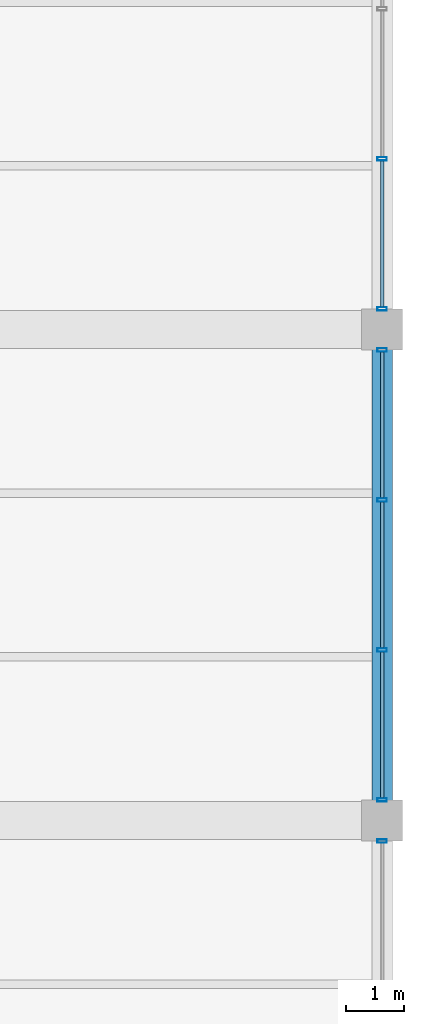
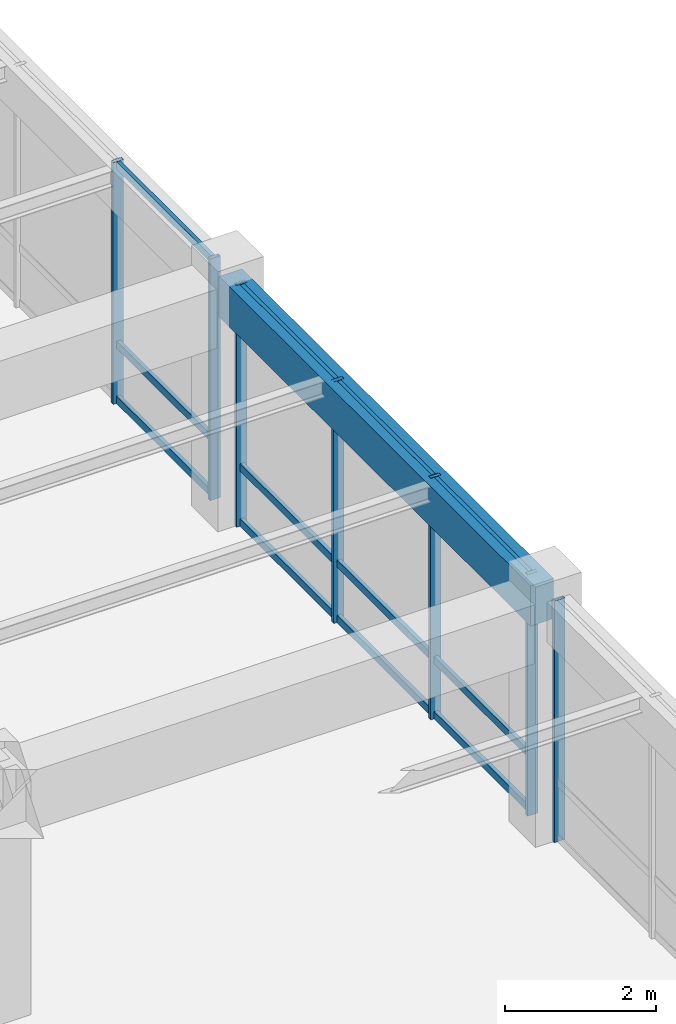
# One storey, part 88 of 152: 19 members, 1 beam, 3 elements without a shape of their own.
"""IFC4 building model written with IfcOpenShell, lengths in metres."""

import ifcopenshell
import ifcopenshell.guid

model = None  # the IFC model being written
_history = None  # IfcOwnerHistory: only IFC2X3 demands one
_inside = {}  # id of a spatial element -> (the spatial element, [elements in it])
_under = {}  # id of a project, library or spatial element -> (it, [spatial elements below it])
_declared = {}  # id of a project -> (the project, [libraries it declares])
_typed = {}  # id of a type object -> (the type object, [elements of that type])
_made_of = {}  # id of a material, layer set ... -> (it, [elements and type objects made of it])


def new_model(schema):
    """Start an empty IFC model of exactly this schema.

    Asked for "IFC4X3", IfcOpenShell would pick the latest addendum, in which some entities
    have other attributes; the version numbers below select the first issue.
    IFC2X3 requires an IfcOwnerHistory on every rooted entity: one is made here for all.
    """
    global model, _history
    if schema == "IFC4X3":
        model = ifcopenshell.file(schema_version=(4, 3, 0, 0))
    else:
        model = ifcopenshell.file(schema=schema)
    _inside.clear()
    _under.clear()
    _declared.clear()
    _typed.clear()
    _made_of.clear()
    _history = None
    if model.schema == "IFC2X3":
        org = make("IfcOrganization", Name="unknown")
        user = make(
            "IfcPersonAndOrganization",
            ThePerson=make("IfcPerson", FamilyName="unknown"),
            TheOrganization=org,
        )
        app = make(
            "IfcApplication",
            ApplicationDeveloper=org,
            Version="unknown",
            ApplicationFullName="unknown",
            ApplicationIdentifier="unknown",
        )
        _history = make(
            "IfcOwnerHistory",
            OwningUser=user,
            OwningApplication=app,
            ChangeAction="ADDED",
            CreationDate=0,
        )
    return model


def make(cls, **values):
    """One entity of the class cls with the attributes given. An attribute that is None is left unset."""
    return model.create_entity(
        cls, **{name: value for name, value in values.items() if value is not None}
    )


def rooted(cls, **values):
    """An entity with a GlobalId (a new one), such as an element, a storey or a relation."""
    return make(cls, GlobalId=ifcopenshell.guid.new(), OwnerHistory=_history, **values)


def si_unit(unit_type, name, prefix=None):
    """IfcSIUnit, for example si_unit("LENGTHUNIT", "METRE", prefix="MILLI")."""
    return make("IfcSIUnit", UnitType=unit_type, Prefix=prefix, Name=name)


def assignment(units):
    """IfcUnitAssignment: the units of a project."""
    return None if units is None else make("IfcUnitAssignment", Units=units)


def point(xyz):
    """IfcCartesianPoint."""
    return None if xyz is None else make("IfcCartesianPoint", Coordinates=xyz)


def direction(xyz):
    """IfcDirection."""
    return None if xyz is None else make("IfcDirection", DirectionRatios=xyz)


def frame(location, z_axis=None, x_axis=None):
    """IfcAxis2Placement3D, a coordinate frame: its origin and axes. An axis left out is left unset."""
    return make(
        "IfcAxis2Placement3D",
        Location=point(location),
        Axis=direction(z_axis),
        RefDirection=direction(x_axis),
    )


def frame_2d(location, x_axis=None):
    """IfcAxis2Placement2D, a coordinate frame in the plane: its origin and x axis."""
    return make(
        "IfcAxis2Placement2D", Location=point(location), RefDirection=direction(x_axis)
    )


def origin():
    """The frame at (0, 0, 0) with its axes left unset."""
    return frame((0.0, 0.0, 0.0))


def origin_2d():
    """The frame at (0, 0) in the plane with its x axis left unset."""
    return frame_2d((0.0, 0.0))


def place(relative_to, where):
    """IfcLocalPlacement: puts the frame where relative to a parent placement (None: the world)."""
    return make(
        "IfcLocalPlacement", PlacementRelTo=relative_to, RelativePlacement=where
    )


def context(
    kind, dimensions, precision=None, world=None, true_north=None, identifier=None
):
    """IfcGeometricRepresentationContext, for example the 3D "Model" context."""
    return make(
        "IfcGeometricRepresentationContext",
        ContextIdentifier=identifier,
        ContextType=kind,
        CoordinateSpaceDimension=dimensions,
        Precision=precision,
        WorldCoordinateSystem=world,
        TrueNorth=true_north,
    )


def subcontext(parent, identifier, kind, view, scale=None):
    """IfcGeometricRepresentationSubContext, for example "Body" below "Model"."""
    return make(
        "IfcGeometricRepresentationSubContext",
        ContextIdentifier=identifier,
        ContextType=kind,
        ParentContext=parent,
        TargetScale=scale,
        TargetView=view,
    )


def project(units=None, contexts=None):
    """IfcProject with its units and contexts."""
    return rooted(
        "IfcProject",
        Name="project",
        RepresentationContexts=contexts,
        UnitsInContext=assignment(units),
    )


def spatial(cls, under=None, at=None, **own):
    """A site, building, storey or space (cls), placed at a placement, below another one or the project."""
    s = rooted(cls, ObjectPlacement=at, **own)
    if under is not None:
        _under.setdefault(under.id(), (under, []))[1].append(s)
    return s


def profile(cls, at=None, kind="AREA", **sizes):
    """A parametric profile (cls). Its sizes go by their IFC names, for example OverallWidth=200.0."""
    return make(cls, ProfileType=kind, Position=at, **sizes)


def rectangle(**sizes):
    """IfcRectangleProfileDef."""
    return profile("IfcRectangleProfileDef", **sizes)


def hollow_rectangle(**sizes):
    """IfcRectangleHollowProfileDef."""
    return profile("IfcRectangleHollowProfileDef", **sizes)


def extrude(swept, where, along, depth):
    """IfcExtrudedAreaSolid: the profile swept, set in the frame where, extruded along a direction by depth."""
    return make(
        "IfcExtrudedAreaSolid",
        SweptArea=swept,
        Position=where,
        ExtrudedDirection=direction(along),
        Depth=depth,
    )


def shape(context_of_items, identifier, shape_type, items):
    """IfcShapeRepresentation: the items that make up one representation, for example the "Body"."""
    return make(
        "IfcShapeRepresentation",
        ContextOfItems=context_of_items,
        RepresentationIdentifier=identifier,
        RepresentationType=shape_type,
        Items=items,
    )


def material(Name=None, Category=None):
    """IfcMaterial."""
    return make("IfcMaterial", Name=Name, Category=Category)


def material_profile(
    of_material, cross_section, Name=None, Category=None, Priority=None
):
    """IfcMaterialProfile: a cross section and its material."""
    return make(
        "IfcMaterialProfile",
        Name=Name,
        Material=of_material,
        Profile=cross_section,
        Priority=Priority,
        Category=Category,
    )


def profile_set(profiles, Name=None, composite=None):
    """IfcMaterialProfileSet."""
    return make(
        "IfcMaterialProfileSet",
        Name=Name,
        MaterialProfiles=profiles,
        CompositeProfile=composite,
    )


def made_of(thing, what):
    """Note that an element or type object is made of a material, layer set ...; save() writes the relation."""
    if what is not None:
        _made_of.setdefault(what.id(), (what, []))[1].append(thing)
    return thing


def type_object(cls, material=None, **own):
    """A type object (cls), such as IfcWallType, which elements share."""
    return made_of(rooted(cls, **own), material)


def element(
    cls,
    number,
    at=None,
    inside=None,
    cuts=None,
    type_object=None,
    material=None,
    context=None,
    identifier="Body",
    shape_type=None,
    held_by="IfcProductDefinitionShape",
    body=None,
    shapes=None,
    **own,
):
    """One element of the class cls, such as IfcWall. Its Tag is "e" and its number.

    at: its placement. inside: the storey or other place that contains it. cuts: it is an
    opening in that element (IfcRelVoidsElement). A single representation is given by context,
    identifier, shape_type and body (its items); several are given by shapes. held_by: the class
    of the entity that holds the representations. save() writes the other relations.
    """
    e = rooted(cls, Tag="e%d" % number, ObjectPlacement=at, **own)
    if body is not None:
        shapes = [shape(context, identifier, shape_type, body)]
    if shapes is not None:
        e.Representation = make(held_by, Representations=shapes)
    if inside is not None:
        _inside.setdefault(inside.id(), (inside, []))[1].append(e)
    if cuts is not None:
        rooted(
            "IfcRelVoidsElement", RelatingBuildingElement=cuts, RelatedOpeningElement=e
        )
    if type_object is not None:
        _typed.setdefault(type_object.id(), (type_object, []))[1].append(e)
    return made_of(e, material)


def aggregate(whole, parts):
    """IfcRelAggregates: a whole, such as a stair, and the parts it consists of."""
    return rooted("IfcRelAggregates", RelatingObject=whole, RelatedObjects=parts)


def save(model, path):
    """Write the relations noted so far, then the file.

    IfcRelAggregates (storeys below a building ...), IfcRelContainedInSpatialStructure (elements
    in a storey), IfcRelDefinesByType, IfcRelAssociatesMaterial and IfcRelDeclares: one each for
    every whole, place, type object, material and project.
    """
    for whole, parts in _under.values():
        aggregate(whole, parts)
    for where, things in _inside.values():
        rooted(
            "IfcRelContainedInSpatialStructure",
            RelatedElements=things,
            RelatingStructure=where,
        )
    for kind, things in _typed.values():
        rooted("IfcRelDefinesByType", RelatedObjects=things, RelatingType=kind)
    for what, things in _made_of.values():
        rooted("IfcRelAssociatesMaterial", RelatedObjects=things, RelatingMaterial=what)
    for by, libraries in _declared.values():
        rooted("IfcRelDeclares", RelatingContext=by, RelatedDefinitions=libraries)
    model.write(path)


model = new_model("IFC4")

# Units and contexts
model_context = context("Model", 3, precision=1e-05, world=origin(), true_north=direction((0.0, 1.0)))
body_context = subcontext(model_context, "Body", "Model", "MODEL_VIEW")
ifc_project = project(units=[si_unit("LENGTHUNIT", "METRE"), si_unit("AREAUNIT", "SQUARE_METRE"), si_unit("VOLUMEUNIT", "CUBIC_METRE"), si_unit("PLANEANGLEUNIT", "RADIAN"), si_unit("MASSUNIT", "GRAM", prefix="KILO"), si_unit("THERMODYNAMICTEMPERATUREUNIT", "KELVIN"), si_unit("POWERUNIT", "WATT")], contexts=[model_context])

# Site, building, storey
site_placement = place(None, origin())
site = spatial("IfcSite", under=ifc_project, at=site_placement, CompositionType="ELEMENT")
building_placement = place(site_placement, origin())
building = spatial("IfcBuilding", under=site, at=building_placement, Name="Darbajah Civic Hall", CompositionType="ELEMENT")
storey_placement = place(building_placement, frame((0.0, 0.0, 5.39990234375)))
storey = spatial("IfcBuildingStorey", under=building, at=storey_placement, Name="L01", CompositionType="ELEMENT", Elevation=5.39990234375)

# Curtain wall, member
ifc_material_1 = material(Name="Anodised Bronze Aluminium and Low-E Glazing", Category="aluminium")
curtain_wall_type = type_object("IfcCurtainWallType", Name="Unitised Curtain Wall CW-52 7700x3900", PredefinedType="USERDEFINED", material=ifc_material_1)
curtain_wall_1_placement = place(storey_placement, origin())
curtain_wall_1 = element("IfcCurtainWall", 1, at=curtain_wall_1_placement, inside=storey, type_object=curtain_wall_type, Name="L01 unitised curtain wall CW-V3-L01-S3-B0", ObjectType="UNITISED CURTAIN WALL", PredefinedType="USERDEFINED")
ifc_material_2 = material(Name="Anodised Bronze Aluminium", Category="aluminium")
ifc_material_profile_1 = material_profile(ifc_material_2, hollow_rectangle(XDim=0.06005859375, YDim=0.159912109375, WallThickness=0.00341796875, at=origin_2d()), Name="ALU MULLION 60x160")
ifc_profile_set_1 = profile_set([ifc_material_profile_1], Name="Anodised Bronze Aluminium")
member_type_1 = type_object("IfcMemberType", Name="ALU MULLION 60x160", PredefinedType="MULLION", material=ifc_profile_set_1)
member_1_placement = place(storey_placement, frame((178.199951171875, 16.447998046875, 0.0), z_axis=(0.0, 0.0, 1.0), x_axis=(0.0, 1.0, 0.0)))
member_1 = element("IfcMember", 2, at=member_1_placement, type_object=member_type_1, Name="CW-V3-L01-S3-B0 mullion 4", PredefinedType="MULLION", context=body_context, shape_type="SweptSolid", body=[
    extrude(hollow_rectangle(XDim=0.06005859375, YDim=0.159912109375, WallThickness=0.00341796875, at=origin_2d()), origin(), (0.0, 0.0, 1.0), 3.900146484375),
])
aggregate(curtain_wall_1, [member_1])

# Curtain wall, members
curtain_wall_2_placement = place(storey_placement, origin())
curtain_wall_2 = element("IfcCurtainWall", 3, at=curtain_wall_2_placement, inside=storey, type_object=curtain_wall_type, Name="L01 unitised curtain wall CW-V3-L01-S3-B1", ObjectType="UNITISED CURTAIN WALL", PredefinedType="USERDEFINED")
member_2_placement = place(storey_placement, frame((178.199951171875, 17.152099609375, 0.0), z_axis=(0.0, 0.0, 1.0), x_axis=(0.0, 1.0, 0.0)))
member_2 = element("IfcMember", 4, at=member_2_placement, type_object=member_type_1, Name="CW-V3-L01-S3-B1 mullion 1", PredefinedType="MULLION", context=body_context, shape_type="SweptSolid", body=[
    extrude(hollow_rectangle(XDim=0.06005859375, YDim=0.159912109375, WallThickness=0.00341796875, at=origin_2d()), origin(), (0.0, 0.0, 1.0), 3.900146484375),
])
member_3_placement = place(storey_placement, frame((178.199951171875, 19.71728515625, 0.0), z_axis=(0.0, 0.0, 1.0), x_axis=(0.0, 1.0, 0.0)))
member_3 = element("IfcMember", 5, at=member_3_placement, type_object=member_type_1, Name="CW-V3-L01-S3-B1 mullion 2", PredefinedType="MULLION", context=body_context, shape_type="SweptSolid", body=[
    extrude(hollow_rectangle(XDim=0.06005859375, YDim=0.159912109375, WallThickness=0.00341796875, at=origin_2d()), origin(), (0.0, 0.0, 1.0), 3.900146484375),
])
member_4_placement = place(storey_placement, frame((178.199951171875, 22.28271484375, 0.0), z_axis=(0.0, 0.0, 1.0), x_axis=(0.0, 1.0, 0.0)))
member_4 = element("IfcMember", 6, at=member_4_placement, type_object=member_type_1, Name="CW-V3-L01-S3-B1 mullion 3", PredefinedType="MULLION", context=body_context, shape_type="SweptSolid", body=[
    extrude(hollow_rectangle(XDim=0.06005859375, YDim=0.159912109375, WallThickness=0.00341796875, at=origin_2d()), origin(), (0.0, 0.0, 1.0), 3.900146484375),
])
member_5_placement = place(storey_placement, frame((178.199951171875, 24.847900390625, 0.0), z_axis=(0.0, 0.0, 1.0), x_axis=(0.0, 1.0, 0.0)))
member_5 = element("IfcMember", 7, at=member_5_placement, type_object=member_type_1, Name="CW-V3-L01-S3-B1 mullion 4", PredefinedType="MULLION", context=body_context, shape_type="SweptSolid", body=[
    extrude(hollow_rectangle(XDim=0.06005859375, YDim=0.159912109375, WallThickness=0.00341796875, at=origin_2d()), origin(), (0.0, 0.0, 1.0), 3.900146484375),
])

curtain_wall_3_placement = place(storey_placement, origin())
curtain_wall_3 = element("IfcCurtainWall", 8, at=curtain_wall_3_placement, inside=storey, type_object=curtain_wall_type, Name="L01 unitised curtain wall CW-V3-L01-S3-B2", ObjectType="UNITISED CURTAIN WALL", PredefinedType="USERDEFINED")
member_6_placement = place(storey_placement, frame((178.199951171875, 25.552001953125, 0.0), z_axis=(0.0, 0.0, 1.0), x_axis=(0.0, 1.0, 0.0)))
member_6 = element("IfcMember", 9, at=member_6_placement, type_object=member_type_1, Name="CW-V3-L01-S3-B2 mullion 1", PredefinedType="MULLION", context=body_context, shape_type="SweptSolid", body=[
    extrude(hollow_rectangle(XDim=0.06005859375, YDim=0.159912109375, WallThickness=0.00341796875, at=origin_2d()), origin(), (0.0, 0.0, 1.0), 3.900146484375),
])
member_7_placement = place(storey_placement, frame((178.199951171875, 28.1171875, 0.0), z_axis=(0.0, 0.0, 1.0), x_axis=(0.0, 1.0, 0.0)))
member_7 = element("IfcMember", 10, at=member_7_placement, type_object=member_type_1, Name="CW-V3-L01-S3-B2 mullion 2", PredefinedType="MULLION", context=body_context, shape_type="SweptSolid", body=[
    extrude(hollow_rectangle(XDim=0.06005859375, YDim=0.159912109375, WallThickness=0.00341796875, at=origin_2d()), origin(), (0.0, 0.0, 1.0), 3.900146484375),
])

# Member
ifc_material_profile_2 = material_profile(ifc_material_2, hollow_rectangle(XDim=0.06005859375, YDim=0.1201171875, WallThickness=0.003173828125, at=origin_2d()), Name="ALU TRANSOM 60x120")
ifc_profile_set_2 = profile_set([ifc_material_profile_2], Name="Anodised Bronze Aluminium")
member_type_2 = type_object("IfcMemberType", Name="ALU TRANSOM 60x120", PredefinedType="USERDEFINED", material=ifc_profile_set_2)
member_8_placement = place(storey_placement, frame((178.199951171875, 17.18701171875, 0.06005859375), z_axis=(0.0, 1.0, 0.0), x_axis=(-1.0, 0.0, 0.0)))
member_8 = element("IfcMember", 11, at=member_8_placement, type_object=member_type_2, Name="CW-V3-L01-S3-B1 transom 1.1", ObjectType="TRANSOM", PredefinedType="USERDEFINED", context=body_context, shape_type="SweptSolid", body=[
    extrude(hollow_rectangle(XDim=0.06005859375, YDim=0.1201171875, WallThickness=0.003173828125, at=origin_2d()), origin(), (0.0, 0.0, 1.0), 2.495361328125),
])

member_9_placement = place(storey_placement, frame((178.199951171875, 17.18701171875, 0.9501953125), z_axis=(0.0, 1.0, 0.0), x_axis=(-1.0, 0.0, 0.0)))
member_9 = element("IfcMember", 12, at=member_9_placement, type_object=member_type_2, Name="CW-V3-L01-S3-B1 transom 1.2", ObjectType="TRANSOM", PredefinedType="USERDEFINED", context=body_context, shape_type="SweptSolid", body=[
    extrude(hollow_rectangle(XDim=0.06005859375, YDim=0.1201171875, WallThickness=0.003173828125, at=origin_2d()), origin(), (0.0, 0.0, 1.0), 2.495361328125),
])

member_10_placement = place(storey_placement, frame((178.199951171875, 17.18701171875, 3.840087890625), z_axis=(0.0, 1.0, 0.0), x_axis=(-1.0, 0.0, 0.0)))
member_10 = element("IfcMember", 13, at=member_10_placement, type_object=member_type_2, Name="CW-V3-L01-S3-B1 transom 1.3", ObjectType="TRANSOM", PredefinedType="USERDEFINED", context=body_context, shape_type="SweptSolid", body=[
    extrude(hollow_rectangle(XDim=0.06005859375, YDim=0.1201171875, WallThickness=0.003173828125, at=origin_2d()), origin(), (0.0, 0.0, 1.0), 2.495361328125),
])

member_11_placement = place(storey_placement, frame((178.199951171875, 19.752197265625, 0.06005859375), z_axis=(0.0, 1.0, 0.0), x_axis=(-1.0, 0.0, 0.0)))
member_11 = element("IfcMember", 14, at=member_11_placement, type_object=member_type_2, Name="CW-V3-L01-S3-B1 transom 2.1", ObjectType="TRANSOM", PredefinedType="USERDEFINED", context=body_context, shape_type="SweptSolid", body=[
    extrude(hollow_rectangle(XDim=0.06005859375, YDim=0.1201171875, WallThickness=0.003173828125, at=origin_2d()), origin(), (0.0, 0.0, 1.0), 2.49560546875),
])

member_12_placement = place(storey_placement, frame((178.199951171875, 19.752197265625, 0.9501953125), z_axis=(0.0, 1.0, 0.0), x_axis=(-1.0, 0.0, 0.0)))
member_12 = element("IfcMember", 15, at=member_12_placement, type_object=member_type_2, Name="CW-V3-L01-S3-B1 transom 2.2", ObjectType="TRANSOM", PredefinedType="USERDEFINED", context=body_context, shape_type="SweptSolid", body=[
    extrude(hollow_rectangle(XDim=0.06005859375, YDim=0.1201171875, WallThickness=0.003173828125, at=origin_2d()), origin(), (0.0, 0.0, 1.0), 2.49560546875),
])

member_13_placement = place(storey_placement, frame((178.199951171875, 19.752197265625, 3.840087890625), z_axis=(0.0, 1.0, 0.0), x_axis=(-1.0, 0.0, 0.0)))
member_13 = element("IfcMember", 16, at=member_13_placement, type_object=member_type_2, Name="CW-V3-L01-S3-B1 transom 2.3", ObjectType="TRANSOM", PredefinedType="USERDEFINED", context=body_context, shape_type="SweptSolid", body=[
    extrude(hollow_rectangle(XDim=0.06005859375, YDim=0.1201171875, WallThickness=0.003173828125, at=origin_2d()), origin(), (0.0, 0.0, 1.0), 2.49560546875),
])

member_14_placement = place(storey_placement, frame((178.199951171875, 22.317626953125, 0.06005859375), z_axis=(0.0, 1.0, 0.0), x_axis=(-1.0, 0.0, 0.0)))
member_14 = element("IfcMember", 17, at=member_14_placement, type_object=member_type_2, Name="CW-V3-L01-S3-B1 transom 3.1", ObjectType="TRANSOM", PredefinedType="USERDEFINED", context=body_context, shape_type="SweptSolid", body=[
    extrude(hollow_rectangle(XDim=0.06005859375, YDim=0.1201171875, WallThickness=0.003173828125, at=origin_2d()), origin(), (0.0, 0.0, 1.0), 2.495361328125),
])

member_15_placement = place(storey_placement, frame((178.199951171875, 22.317626953125, 0.9501953125), z_axis=(0.0, 1.0, 0.0), x_axis=(-1.0, 0.0, 0.0)))
member_15 = element("IfcMember", 18, at=member_15_placement, type_object=member_type_2, Name="CW-V3-L01-S3-B1 transom 3.2", ObjectType="TRANSOM", PredefinedType="USERDEFINED", context=body_context, shape_type="SweptSolid", body=[
    extrude(hollow_rectangle(XDim=0.06005859375, YDim=0.1201171875, WallThickness=0.003173828125, at=origin_2d()), origin(), (0.0, 0.0, 1.0), 2.495361328125),
])

member_16_placement = place(storey_placement, frame((178.199951171875, 22.317626953125, 3.840087890625), z_axis=(0.0, 1.0, 0.0), x_axis=(-1.0, 0.0, 0.0)))
member_16 = element("IfcMember", 19, at=member_16_placement, type_object=member_type_2, Name="CW-V3-L01-S3-B1 transom 3.3", ObjectType="TRANSOM", PredefinedType="USERDEFINED", context=body_context, shape_type="SweptSolid", body=[
    extrude(hollow_rectangle(XDim=0.06005859375, YDim=0.1201171875, WallThickness=0.003173828125, at=origin_2d()), origin(), (0.0, 0.0, 1.0), 2.495361328125),
])

aggregate(curtain_wall_2, [member_2, member_3, member_4, member_5, member_8, member_9, member_10, member_11, member_12, member_13, member_14, member_15, member_16])

member_17_placement = place(storey_placement, frame((178.199951171875, 25.5869140625, 0.06005859375), z_axis=(0.0, 1.0, 0.0), x_axis=(-1.0, 0.0, 0.0)))
member_17 = element("IfcMember", 20, at=member_17_placement, type_object=member_type_2, Name="CW-V3-L01-S3-B2 transom 1.1", ObjectType="TRANSOM", PredefinedType="USERDEFINED", context=body_context, shape_type="SweptSolid", body=[
    extrude(hollow_rectangle(XDim=0.06005859375, YDim=0.1201171875, WallThickness=0.003173828125, at=origin_2d()), origin(), (0.0, 0.0, 1.0), 2.495361328125),
])

member_18_placement = place(storey_placement, frame((178.199951171875, 25.5869140625, 0.9501953125), z_axis=(0.0, 1.0, 0.0), x_axis=(-1.0, 0.0, 0.0)))
member_18 = element("IfcMember", 21, at=member_18_placement, type_object=member_type_2, Name="CW-V3-L01-S3-B2 transom 1.2", ObjectType="TRANSOM", PredefinedType="USERDEFINED", context=body_context, shape_type="SweptSolid", body=[
    extrude(hollow_rectangle(XDim=0.06005859375, YDim=0.1201171875, WallThickness=0.003173828125, at=origin_2d()), origin(), (0.0, 0.0, 1.0), 2.495361328125),
])

member_19_placement = place(storey_placement, frame((178.199951171875, 25.5869140625, 3.840087890625), z_axis=(0.0, 1.0, 0.0), x_axis=(-1.0, 0.0, 0.0)))
member_19 = element("IfcMember", 22, at=member_19_placement, type_object=member_type_2, Name="CW-V3-L01-S3-B2 transom 1.3", ObjectType="TRANSOM", PredefinedType="USERDEFINED", context=body_context, shape_type="SweptSolid", body=[
    extrude(hollow_rectangle(XDim=0.06005859375, YDim=0.1201171875, WallThickness=0.003173828125, at=origin_2d()), origin(), (0.0, 0.0, 1.0), 2.495361328125),
])

aggregate(curtain_wall_3, [member_6, member_7, member_17, member_18, member_19])

# Beam
ifc_material_3 = material(Name="Concrete C45/55", Category="concrete")
ifc_material_profile_3 = material_profile(ifc_material_3, rectangle(XDim=0.35009765625, YDim=0.64990234375, at=origin_2d()), Name="RC SPANDREL 350x650")
ifc_profile_set_3 = profile_set([ifc_material_profile_3], Name="Concrete C45/55")
beam_type = type_object("IfcBeamType", Name="RC SPANDREL 350x650", PredefinedType="SPANDREL", material=ifc_profile_set_3)
beam_placement = place(storey_placement, frame((178.199951171875, 16.8798828125, 3.5751953125), z_axis=(0.0, 1.0, 0.0), x_axis=(-1.0, 0.0, 0.0)))
element("IfcBeam", 23, at=beam_placement, inside=storey, type_object=beam_type, Name="L01 beam SP-3565", PredefinedType="SPANDREL", context=body_context, shape_type="SweptSolid", body=[
    extrude(rectangle(XDim=0.35009765625, YDim=0.64990234375, at=origin_2d()), origin(), (0.0, 0.0, 1.0), 8.240234375),
])

save(model, "model.ifc")
